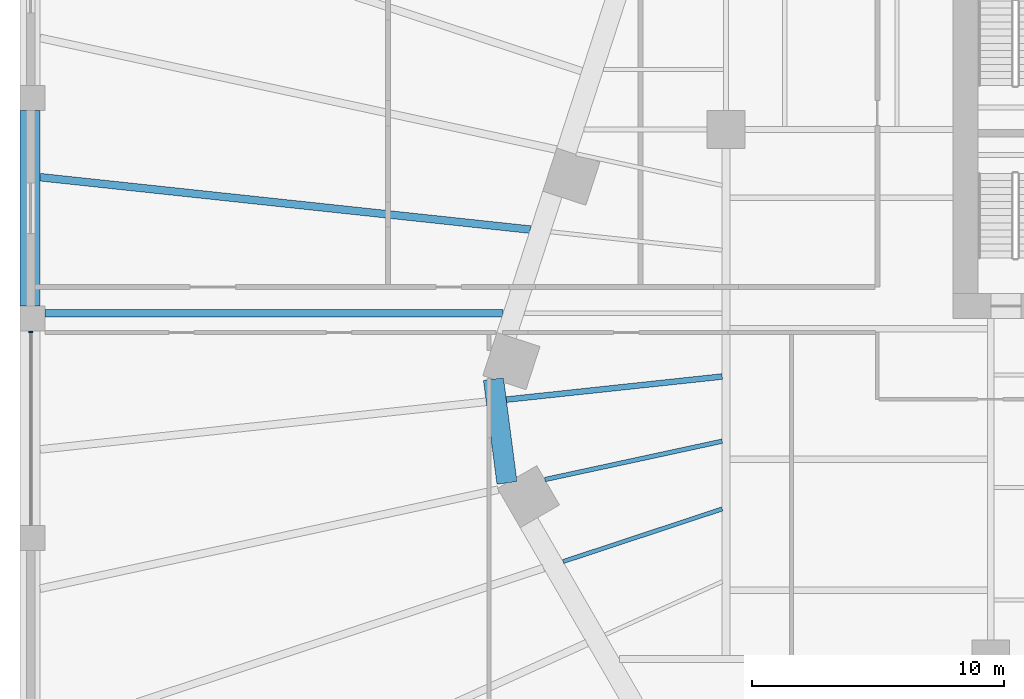
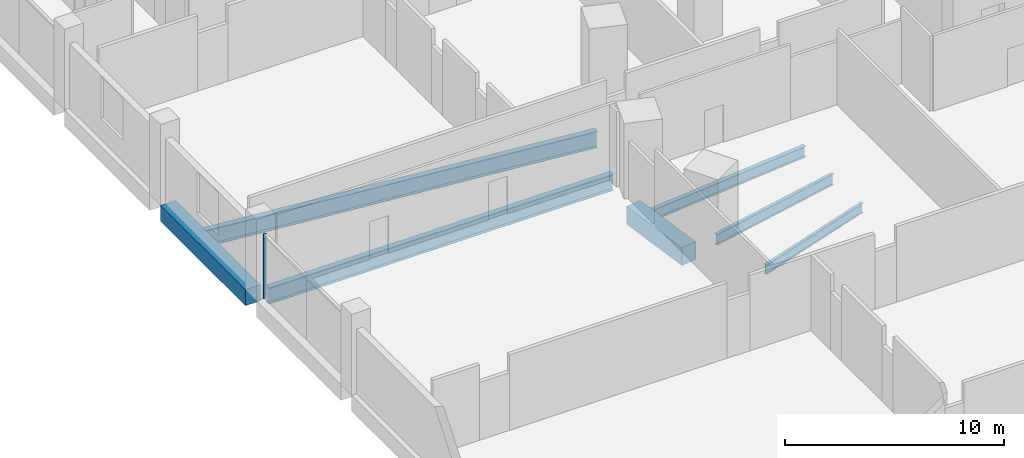
# One storey, part 5 of 29: 7 beams, 1 member, 1 element without a shape of its own.
"""IFC4 building model written with IfcOpenShell, lengths in metres."""

from ifc_helpers import new_model, si_unit, direction, frame, origin, origin_2d, place, context, subcontext, project, spatial, rectangle, i_section, extrude, material, layer, layer_set, material_profile, profile_set, type_object, element, aggregate, save


model = new_model("IFC4")

# Units and contexts
model_context = context("Model", 3, precision=1e-05, world=origin(), true_north=direction((0.0, 1.0)))
body_context = subcontext(model_context, "Body", "Model", "MODEL_VIEW")
ifc_project = project(units=[si_unit("LENGTHUNIT", "METRE"), si_unit("AREAUNIT", "SQUARE_METRE"), si_unit("VOLUMEUNIT", "CUBIC_METRE"), si_unit("PLANEANGLEUNIT", "RADIAN"), si_unit("MASSUNIT", "GRAM", prefix="KILO")], contexts=[model_context])

# Site, building, storey
site_placement = place(None, origin())
site = spatial("IfcSite", under=ifc_project, at=site_placement, CompositionType="ELEMENT")
building_placement = place(site_placement, origin())
building = spatial("IfcBuilding", under=site, at=building_placement, Name="Isthmus Gate Tower", CompositionType="ELEMENT")
storey_placement = place(building_placement, frame((0.0, 0.0, 27.0)))
storey = spatial("IfcBuildingStorey", under=building, at=storey_placement, Name="L04", CompositionType="ELEMENT", Elevation=27.0)

# Curtain wall, member
ifc_material_1 = material(Name="Aluminium, pale champagne anodised", Category="aluminium")
ifc_layer = layer(ifc_material_1, 0.14990234375)
ifc_layer_set = layer_set([ifc_layer], Name="CW-3 STOREFRONT CURTAIN WALL 150 DEEP")
curtain_wall_type = type_object("IfcCurtainWallType", Name="CW-3 STOREFRONT CURTAIN WALL 150 DEEP", PredefinedType="NOTDEFINED", material=ifc_layer_set)
curtain_wall_placement = place(storey_placement, origin())
curtain_wall = element("IfcCurtainWall", 1, at=curtain_wall_placement, inside=storey, type_object=curtain_wall_type, Name="CW-3 W L04", PredefinedType="NOTDEFINED")
ifc_material_2 = material(Name="Aluminium, pale champagne anodised", Category="aluminium")
ifc_material_profile_1 = material_profile(ifc_material_2, rectangle(XDim=0.06005859375, YDim=0.14990234375, at=origin_2d()), Name="60x150")
ifc_profile_set_1 = profile_set([ifc_material_profile_1], Name="Aluminium, pale champagne anodised")
member_type = type_object("IfcMemberType", Name="CW-3 MULLION 60 X 150", PredefinedType="MULLION", material=ifc_profile_set_1)
member_placement = place(storey_placement, frame((-51.574951171875, -0.530029296875, -0.300048828125), z_axis=(0.0, 0.0, 1.0), x_axis=(0.0, -1.0, 0.0)))
member = element("IfcMember", 2, at=member_placement, type_object=member_type, Name="CW-3 mullion", PredefinedType="MULLION", context=body_context, shape_type="SweptSolid", body=[
    extrude(rectangle(XDim=0.06005859375, YDim=0.14990234375, at=origin_2d()), origin(), (0.0, 0.0, 1.0), 3.60009765625),
])
aggregate(curtain_wall, [member])

# Beams
ifc_material_3 = material(Name="Concrete f'c 70 MPa", Category="concrete")
ifc_material_profile_2 = material_profile(ifc_material_3, rectangle(XDim=0.800048828125, YDim=0.89990234375, at=origin_2d()), Name="RC 800X900")
ifc_profile_set_2 = profile_set([ifc_material_profile_2], Name="Concrete f'c 70 MPa")
beam_type_1 = type_object("IfcBeamType", Name="RC EDGE BEAM 800 X 900", PredefinedType="BEAM", material=ifc_profile_set_2)
beam_1_placement = place(storey_placement, frame((-51.60009765625, 0.5, -0.75), z_axis=(0.0, 1.0, 0.0), x_axis=(-1.0, 0.0, 0.0)))
element("IfcBeam", 3, at=beam_1_placement, inside=storey, type_object=beam_type_1, Name="str-edgebeam-L04-04", PredefinedType="BEAM", context=body_context, shape_type="SweptSolid", body=[
    extrude(rectangle(XDim=0.800048828125, YDim=0.89990234375, at=origin_2d()), origin(), (0.0, 0.0, 1.0), 7.75),
])
ifc_material_4 = material(Name="Concrete f'c 70 MPa", Category="concrete")
ifc_material_profile_3 = material_profile(ifc_material_4, rectangle(XDim=0.800048828125, YDim=1.0, at=origin_2d()), Name="RC 800X1000")
ifc_profile_set_3 = profile_set([ifc_material_profile_3], Name="Concrete f'c 70 MPa")
beam_type_2 = type_object("IfcBeamType", Name="RC TUBE RING BEAM 800 X 1000", PredefinedType="BEAM", material=ifc_profile_set_3)
beam_2_placement = place(storey_placement, frame((-32.6884765625, -6.515380859375, -0.800048828125), z_axis=(-0.129170777359, 0.991622362735, 0.0), x_axis=(-0.991622362735, -0.129170777359, 0.0)))
element("IfcBeam", 4, at=beam_2_placement, inside=storey, type_object=beam_type_2, Name="str-ringbeam-L04-17", PredefinedType="BEAM", context=body_context, shape_type="SweptSolid", body=[
    extrude(rectangle(XDim=0.800048828125, YDim=1.0, at=origin_2d()), origin(), (0.0, 0.0, 1.0), 4.15234375),
])
ifc_material_5 = material(Name="Structural steel ASTM A992 Gr 50", Category="steel")
ifc_material_profile_4 = material_profile(ifc_material_5, i_section(OverallWidth=0.1650390625, OverallDepth=0.52392578125, WebThickness=0.009521484375, FlangeThickness=0.010986328125, at=origin_2d()), Name="W21X44")
ifc_profile_set_4 = profile_set([ifc_material_profile_4], Name="Structural steel ASTM A992 Gr 50")
beam_type_3 = type_object("IfcBeamType", Name="STEEL FLOOR BEAM W21X44", PredefinedType="JOIST", material=ifc_profile_set_4)
beam_3_placement = place(storey_placement, frame((-24.15234375, -7.547607421875, -0.56201171875), z_axis=(-0.949397017139, -0.3140784995, 0.0), x_axis=(0.3140784995, -0.949397017139, 0.0)))
element("IfcBeam", 5, at=beam_3_placement, inside=storey, type_object=beam_type_3, Name="str-beam-L04-19-39", PredefinedType="JOIST", context=body_context, shape_type="SweptSolid", body=[
    extrude(i_section(OverallWidth=0.1650390625, OverallDepth=0.52392578125, WebThickness=0.009521484375, FlangeThickness=0.010986328125, at=origin_2d()), origin(), (0.0, 0.0, 1.0), 6.647705078125),
])
ifc_material_6 = material(Name="Structural steel ASTM A992 Gr 50", Category="steel")
ifc_material_profile_5 = material_profile(ifc_material_6, i_section(OverallWidth=0.177734375, OverallDepth=0.60009765625, WebThickness=0.009521484375, FlangeThickness=0.0126953125, at=origin_2d()), Name="W24X55")
ifc_profile_set_5 = profile_set([ifc_material_profile_5], Name="Structural steel ASTM A992 Gr 50")
beam_type_4 = type_object("IfcBeamType", Name="STEEL FLOOR BEAM W24X55", PredefinedType="JOIST", material=ifc_profile_set_5)
beam_4_placement = place(storey_placement, frame((-24.15234375, -4.861328125, -0.60009765625), z_axis=(-0.977399012769, -0.211402861471, 0.0), x_axis=(0.211402861471, -0.977399012769, 0.0)))
element("IfcBeam", 6, at=beam_4_placement, inside=storey, type_object=beam_type_4, Name="str-beam-L04-19-37", PredefinedType="JOIST", context=body_context, shape_type="SweptSolid", body=[
    extrude(i_section(OverallWidth=0.177734375, OverallDepth=0.60009765625, WebThickness=0.009521484375, FlangeThickness=0.0126953125, at=origin_2d()), origin(), (0.0, 0.0, 1.0), 7.197021484375),
])
ifc_material_7 = material(Name="Structural steel ASTM A992 Gr 50", Category="steel")
ifc_material_profile_6 = material_profile(ifc_material_7, i_section(OverallWidth=0.228515625, OverallDepth=0.603271484375, WebThickness=0.010986328125, FlangeThickness=0.014404296875, at=origin_2d()), Name="W24X68")
ifc_profile_set_6 = profile_set([ifc_material_profile_6], Name="Structural steel ASTM A992 Gr 50")
beam_type_5 = type_object("IfcBeamType", Name="STEEL FLOOR BEAM W24X68", PredefinedType="JOIST", material=ifc_profile_set_6)
beam_5_placement = place(storey_placement, frame((-24.15234375, -2.296630859375, -0.6015625), z_axis=(-0.994336255068, -0.106279875132, 0.0), x_axis=(0.106279875132, -0.994336255068, 0.0)))
element("IfcBeam", 7, at=beam_5_placement, inside=storey, type_object=beam_type_5, Name="str-beam-L04-19-35", PredefinedType="JOIST", context=body_context, shape_type="SweptSolid", body=[
    extrude(i_section(OverallWidth=0.228515625, OverallDepth=0.603271484375, WebThickness=0.010986328125, FlangeThickness=0.014404296875, at=origin_2d()), origin(), (0.0, 0.0, 1.0), 8.612060546875),
])
ifc_material_8 = material(Name="Structural steel ASTM A992 Gr 50", Category="steel")
ifc_material_profile_7 = material_profile(ifc_material_8, i_section(OverallWidth=0.3046875, OverallDepth=0.901611328125, WebThickness=0.015869140625, FlangeThickness=0.0205078125, at=origin_2d()), Name="W36X135")
ifc_profile_set_7 = profile_set([ifc_material_profile_7], Name="Structural steel ASTM A992 Gr 50")
beam_type_6 = type_object("IfcBeamType", Name="STEEL FLOOR BEAM W36X135", PredefinedType="JOIST", material=ifc_profile_set_7)
beam_6_placement = place(storey_placement, frame((-32.84326171875, 0.210205078125, -0.750732421875), z_axis=(-1.0, 0.0, 0.0), x_axis=(0.0, -1.0, 0.0)))
element("IfcBeam", 8, at=beam_6_placement, inside=storey, type_object=beam_type_6, Name="str-beam-L04-19-34", PredefinedType="JOIST", context=body_context, shape_type="SweptSolid", body=[
    extrude(i_section(OverallWidth=0.3046875, OverallDepth=0.901611328125, WebThickness=0.015869140625, FlangeThickness=0.0205078125, at=origin_2d()), origin(), (0.0, 0.0, 1.0), 18.15673828125),
])
ifc_material_9 = material(Name="Structural steel ASTM A992 Gr 50", Category="steel")
ifc_material_profile_8 = material_profile(ifc_material_9, i_section(OverallWidth=0.3046875, OverallDepth=0.914306640625, WebThickness=0.015869140625, FlangeThickness=0.025390625, at=origin_2d()), Name="W36X160")
ifc_profile_set_8 = profile_set([ifc_material_profile_8], Name="Structural steel ASTM A992 Gr 50")
beam_type_7 = type_object("IfcBeamType", Name="STEEL FLOOR BEAM W36X160", PredefinedType="JOIST", material=ifc_profile_set_8)
beam_7_placement = place(storey_placement, frame((-31.764404296875, 3.53076171875, -0.757080078125), z_axis=(-0.994334830289, 0.106293204273, 0.0), x_axis=(-0.106293204273, -0.994334830289, 0.0)))
element("IfcBeam", 9, at=beam_7_placement, inside=storey, type_object=beam_type_7, Name="str-beam-L04-19-32", PredefinedType="JOIST", context=body_context, shape_type="SweptSolid", body=[
    extrude(i_section(OverallWidth=0.3046875, OverallDepth=0.914306640625, WebThickness=0.015869140625, FlangeThickness=0.025390625, at=origin_2d()), origin(), (0.0, 0.0, 1.0), 19.54638671875),
])

save(model, "model.ifc")
